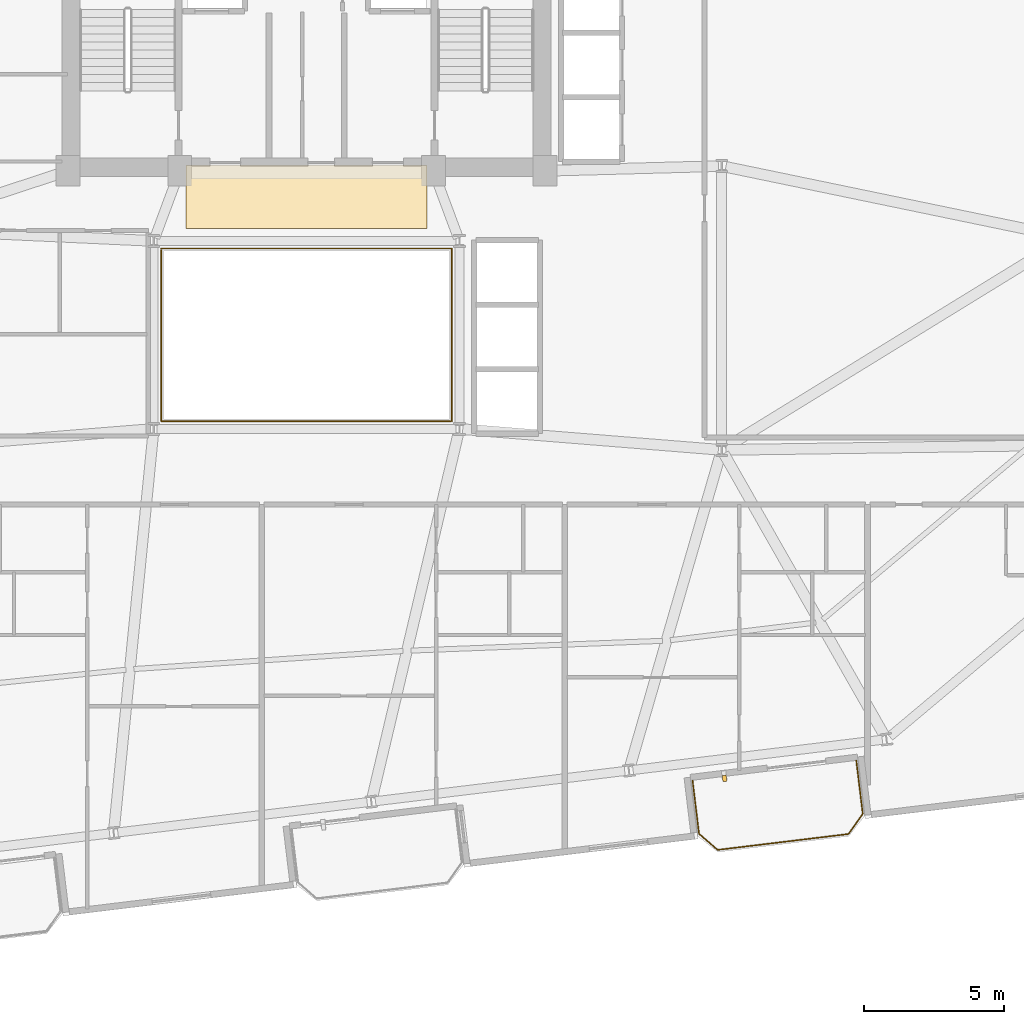
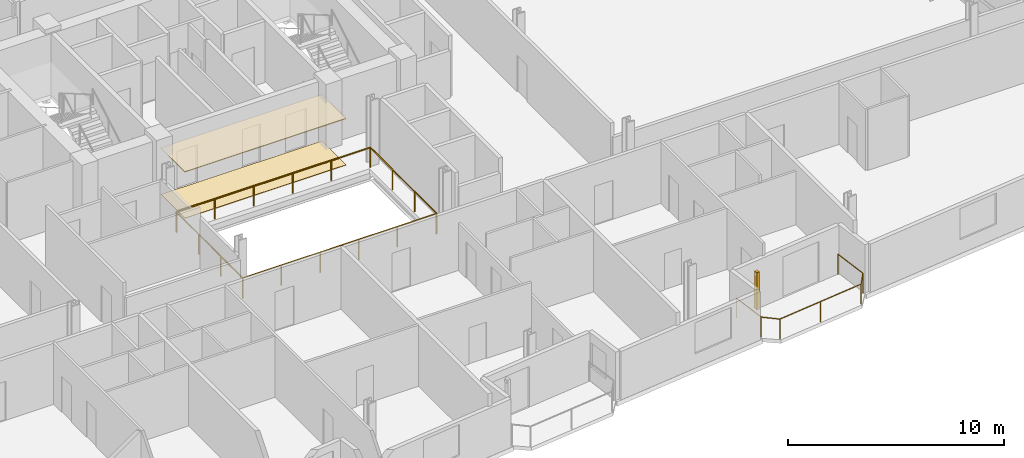
# One storey, part 21 of 23: 3 railings, 2 coverings, 1 shading device.
"""IFC4 building model written with IfcOpenShell, lengths in metres."""

from ifc_helpers import new_model, si_unit, direction, frame, origin, origin_2d, place, context, subcontext, project, spatial, rectangle, circle, extrude, source, transform, mapped, material, layer, layer_set, type_object, element, save


model = new_model("IFC4")

# Units and contexts
model_context = context("Model", 3, precision=1e-05, world=origin(), true_north=direction((0.0, 1.0)))
body_context = subcontext(model_context, "Body", "Model", "MODEL_VIEW")
ifc_project = project(units=[si_unit("LENGTHUNIT", "METRE"), si_unit("AREAUNIT", "SQUARE_METRE"), si_unit("VOLUMEUNIT", "CUBIC_METRE"), si_unit("PLANEANGLEUNIT", "RADIAN"), si_unit("MASSUNIT", "GRAM", prefix="KILO")], contexts=[model_context])

# Site, building, storey
site_placement = place(None, origin())
site = spatial("IfcSite", under=ifc_project, at=site_placement, CompositionType="ELEMENT")
building_placement = place(site_placement, origin())
building = spatial("IfcBuilding", under=site, at=building_placement, Name="Varnelok Gate Tower", CompositionType="ELEMENT")
storey_placement = place(building_placement, frame((0.0, 0.0, 174.60009765625)))
storey = spatial("IfcBuildingStorey", under=building, at=storey_placement, Name="L44", CompositionType="ELEMENT", Elevation=174.60009765625)

# Railings
ifc_material_1 = material(Name="Tempered Laminated Balustrade Glass", Category="glass")
railing_type_1 = type_object("IfcRailingType", Name="RL-ATR-GUARD1150", PredefinedType="GUARDRAIL", material=ifc_material_1)
railing_1_placement = place(storey_placement, frame((34.02001953125, 25.929931640625, 0.0)))
element("IfcRailing", 1, at=railing_1_placement, inside=storey, type_object=railing_type_1, Name="L44 Internal Atrium South-West Guardrail", PredefinedType="GUARDRAIL", context=body_context, shape_type="SweptSolid", body=[
    extrude(circle(Radius=0.02392578125, at=origin_2d()), frame((0.0, 0.0, 1.1259765625), z_axis=(0.0, -1.0, 0.0), x_axis=(1.0, 0.0, 0.0)), (0.0, 0.0, 1.0), 6.10986328125),
    extrude(circle(Radius=0.02392578125, at=origin_2d()), frame((0.0, -6.10986328125, 1.1259765625), z_axis=(1.0, 0.0, 0.0), x_axis=(0.0, 1.0, 0.0)), (0.0, 0.0, 1.0), 10.31005859375),
    extrude(circle(Radius=0.02099609375, at=origin_2d()), origin(), (0.0, 0.0, 1.0), 1.101806640625),
    extrude(circle(Radius=0.02099609375, at=origin_2d()), frame((0.0, -2.03662109375, 0.0)), (0.0, 0.0, 1.0), 1.101806640625),
    extrude(circle(Radius=0.02099609375, at=origin_2d()), frame((0.0, -4.0732421875, 0.0)), (0.0, 0.0, 1.0), 1.101806640625),
    extrude(circle(Radius=0.02099609375, at=origin_2d()), frame((0.0, -6.10986328125, 0.0)), (0.0, 0.0, 1.0), 1.101806640625),
    extrude(circle(Radius=0.02099609375, at=origin_2d()), frame((2.06201171875, -6.10986328125, 0.0)), (0.0, 0.0, 1.0), 1.101806640625),
    extrude(circle(Radius=0.02099609375, at=origin_2d()), frame((4.1240234375, -6.10986328125, 0.0)), (0.0, 0.0, 1.0), 1.101806640625),
    extrude(circle(Radius=0.02099609375, at=origin_2d()), frame((6.18603515625, -6.10986328125, 0.0)), (0.0, 0.0, 1.0), 1.101806640625),
    extrude(circle(Radius=0.02099609375, at=origin_2d()), frame((8.248046875, -6.10986328125, 0.0)), (0.0, 0.0, 1.0), 1.101806640625),
    extrude(circle(Radius=0.02099609375, at=origin_2d()), frame((10.31005859375, -6.10986328125, 0.0)), (0.0, 0.0, 1.0), 1.101806640625),
])
railing_2_placement = place(storey_placement, frame((44.3798828125, 19.820068359375, 0.0)))
element("IfcRailing", 2, at=railing_2_placement, inside=storey, type_object=railing_type_1, Name="L44 Internal Atrium North-East Guardrail", PredefinedType="GUARDRAIL", context=body_context, shape_type="SweptSolid", body=[
    extrude(circle(Radius=0.02392578125, at=origin_2d()), frame((0.0, 0.0, 1.1259765625), z_axis=(0.0, 1.0, 0.0), x_axis=(-1.0, 0.0, 0.0)), (0.0, 0.0, 1.0), 6.159912109375),
    extrude(circle(Radius=0.02392578125, at=origin_2d()), frame((0.0, 6.159912109375, 1.1259765625), z_axis=(-1.0, 0.0, 0.0), x_axis=(0.0, -1.0, 0.0)), (0.0, 0.0, 1.0), 10.35986328125),
    extrude(circle(Radius=0.02099609375, at=origin_2d()), origin(), (0.0, 0.0, 1.0), 1.101806640625),
    extrude(circle(Radius=0.02099609375, at=origin_2d()), frame((0.0, 2.05322265625, 0.0)), (0.0, 0.0, 1.0), 1.101806640625),
    extrude(circle(Radius=0.02099609375, at=origin_2d()), frame((0.0, 4.106689453125, 0.0)), (0.0, 0.0, 1.0), 1.101806640625),
    extrude(circle(Radius=0.02099609375, at=origin_2d()), frame((0.0, 6.159912109375, 0.0)), (0.0, 0.0, 1.0), 1.101806640625),
    extrude(circle(Radius=0.02099609375, at=origin_2d()), frame((-2.072021484375, 6.159912109375, 0.0)), (0.0, 0.0, 1.0), 1.101806640625),
    extrude(circle(Radius=0.02099609375, at=origin_2d()), frame((-4.14404296875, 6.159912109375, 0.0)), (0.0, 0.0, 1.0), 1.101806640625),
    extrude(circle(Radius=0.02099609375, at=origin_2d()), frame((-6.2158203125, 6.159912109375, 0.0)), (0.0, 0.0, 1.0), 1.101806640625),
    extrude(circle(Radius=0.02099609375, at=origin_2d()), frame((-8.287841796875, 6.159912109375, 0.0)), (0.0, 0.0, 1.0), 1.101806640625),
    extrude(circle(Radius=0.02099609375, at=origin_2d()), frame((-10.35986328125, 6.159912109375, 0.0)), (0.0, 0.0, 1.0), 1.101806640625),
])
ifc_material_2 = material(Name="Low-E Laminated Double Glazing IGU", Category="glass")
railing_type_2 = type_object("IfcRailingType", Name="RL-BALC-1150", PredefinedType="BALUSTRADE", material=ifc_material_2)
railing_3_placement = place(storey_placement, frame((52.95947265625, 7.023193359375, 0.0)))
element("IfcRailing", 3, at=railing_3_placement, inside=storey, type_object=railing_type_2, Name="L44 South Terrace Balustrade 3", PredefinedType="BALUSTRADE", context=body_context, shape_type="SweptSolid", body=[
    extrude(circle(Radius=0.02392578125, at=origin_2d()), frame((0.0, 0.0, 1.1259765625), z_axis=(0.12040351024, -0.992725034802, 0.0), x_axis=(0.992725034802, 0.12040351024, 0.0)), (0.0, 0.0, 1.0), 1.920166015625),
    extrude(circle(Radius=0.02392578125, at=origin_2d()), frame((0.231201171875, -1.90625, 1.1259765625), z_axis=(0.756303655992, -0.654220742513, 0.0), x_axis=(0.654220742513, 0.756303655992, 0.0)), (0.0, 0.0, 1.0), 0.877685546875),
    extrude(circle(Radius=0.02392578125, at=origin_2d()), frame((0.89501953125, -2.48046875, 1.1259765625), z_axis=(0.99273133746, 0.120351533534, 0.0), x_axis=(-0.120351533534, 0.99273133746, 0.0)), (0.0, 0.0, 1.0), 4.7001953125),
    extrude(circle(Radius=0.02392578125, at=origin_2d()), frame((5.56103515625, -1.914794921875, 1.1259765625), z_axis=(0.577971037086, 0.816057277579, 0.0), x_axis=(-0.816057277579, 0.577971037086, 0.0)), (0.0, 0.0, 1.0), 0.877685546875),
    extrude(circle(Radius=0.02392578125, at=origin_2d()), frame((6.068359375, -1.198486328125, 1.1259765625), z_axis=(-0.120293392036, 0.992738384386, 0.0), x_axis=(-0.992738384386, -0.120293392036, 0.0)), (0.0, 0.0, 1.0), 1.919921875),
    extrude(circle(Radius=0.02099609375, at=origin_2d()), origin(), (0.0, 0.0, 1.0), 1.101806640625),
    extrude(circle(Radius=0.02099609375, at=origin_2d()), frame((0.231201171875, -1.90625, 0.0)), (0.0, 0.0, 1.0), 1.101806640625),
    extrude(circle(Radius=0.02099609375, at=origin_2d()), frame((0.89501953125, -2.48046875, 0.0)), (0.0, 0.0, 1.0), 1.101806640625),
    extrude(circle(Radius=0.02099609375, at=origin_2d()), frame((3.22802734375, -2.19775390625, 0.0)), (0.0, 0.0, 1.0), 1.101806640625),
    extrude(circle(Radius=0.02099609375, at=origin_2d()), frame((5.56103515625, -1.914794921875, 0.0)), (0.0, 0.0, 1.0), 1.101806640625),
    extrude(circle(Radius=0.02099609375, at=origin_2d()), frame((6.068359375, -1.198486328125, 0.0)), (0.0, 0.0, 1.0), 1.101806640625),
    extrude(circle(Radius=0.02099609375, at=origin_2d()), frame((5.83740234375, 0.70751953125, 0.0)), (0.0, 0.0, 1.0), 1.101806640625),
])

# Shading device
ifc_material_3 = material(Name="Glazed Architectural Terracotta Ceramic", Category="masonry")
shading_device_type = type_object("IfcShadingDeviceType", Name="SHD-TERRA-BAGUETTE", PredefinedType="USERDEFINED", material=ifc_material_3)
shared_shape_1 = source(origin(), body_context, "Body", "SweptSolid", [
    extrude(rectangle(XDim=0.139892578125, YDim=0.219970703125, at=origin_2d()), origin(), (0.0, 0.0, 1.0), 2.10009765625),
])
shading_device_placement = place(storey_placement, frame((54.099609375, 7.0908203125, 0.099853515625), z_axis=(0.0, 0.0, 1.0), x_axis=(0.992732158755, 0.12034475881, 0.0)))
element("IfcShadingDevice", 4, at=shading_device_placement, inside=storey, type_object=shading_device_type, Name="L44 Terracotta Ceramic Baguette Sunscreen 3.1", ObjectType="BAGUETTE", PredefinedType="USERDEFINED", context=body_context, shape_type="MappedRepresentation", body=[
    mapped(shared_shape_1, transform((0.0, 0.0, 0.0), scale=1.0)),
])

# Coverings
ifc_material_4 = material(Name="Honed Travertine Stone Flooring", Category="masonry")
ifc_layer_1 = layer(ifc_material_4, 0.02490234375)
ifc_layer_set_1 = layer_set([ifc_layer_1], Name="Honed Travertine Stone Flooring")
covering_type_1 = type_object("IfcCoveringType", Name="COV-FLOR-STONE", PredefinedType="FLOORING", material=ifc_layer_set_1)
shared_shape_2 = source(origin(), body_context, "Body", "SweptSolid", [
    extrude(rectangle(XDim=8.60009765625, YDim=2.219970703125, at=origin_2d()), origin(), (0.0, 0.0, 1.0), 0.02490234375),
])
covering_1_placement = place(storey_placement, frame((39.199951171875, 27.800048828125, 0.0), z_axis=(0.0, 0.0, 1.0), x_axis=(1.0, 0.0, 0.0)))
element("IfcCovering", 5, at=covering_1_placement, inside=storey, type_object=covering_type_1, Name="L44 Core Gallery Stone Flooring", PredefinedType="FLOORING", context=body_context, shape_type="MappedRepresentation", body=[
    mapped(shared_shape_2, transform((0.0, 0.0, 0.0), scale=1.0)),
])
ifc_material_5 = material(Name="Mineral Fiber Acoustic Ceiling Tile")
ifc_layer_2 = layer(ifc_material_5, 0.0400390625)
ifc_layer_set_2 = layer_set([ifc_layer_2], Name="Mineral Fiber Acoustic Ceiling Tile")
covering_type_2 = type_object("IfcCoveringType", Name="COV-CEIL-ACOUST", PredefinedType="CEILING", material=ifc_layer_set_2)
shared_shape_3 = source(origin(), body_context, "Body", "SweptSolid", [
    extrude(rectangle(XDim=8.60009765625, YDim=2.239990234375, at=origin_2d()), origin(), (0.0, 0.0, 1.0), 0.0400390625),
])
covering_2_placement = place(storey_placement, frame((39.199951171875, 27.820068359375, 2.599853515625), z_axis=(0.0, 0.0, 1.0), x_axis=(1.0, 0.0, 0.0)))
element("IfcCovering", 6, at=covering_2_placement, inside=storey, type_object=covering_type_2, Name="L44 Core Gallery Acoustic Ceiling", PredefinedType="CEILING", context=body_context, shape_type="MappedRepresentation", body=[
    mapped(shared_shape_3, transform((0.0, 0.0, 0.0), scale=1.0)),
])

save(model, "model.ifc")
